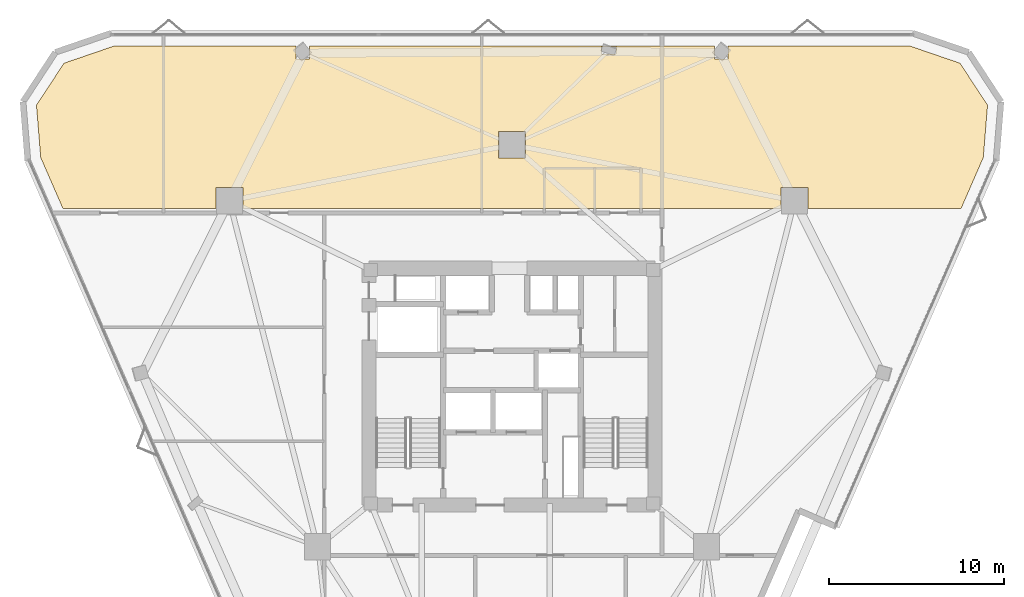
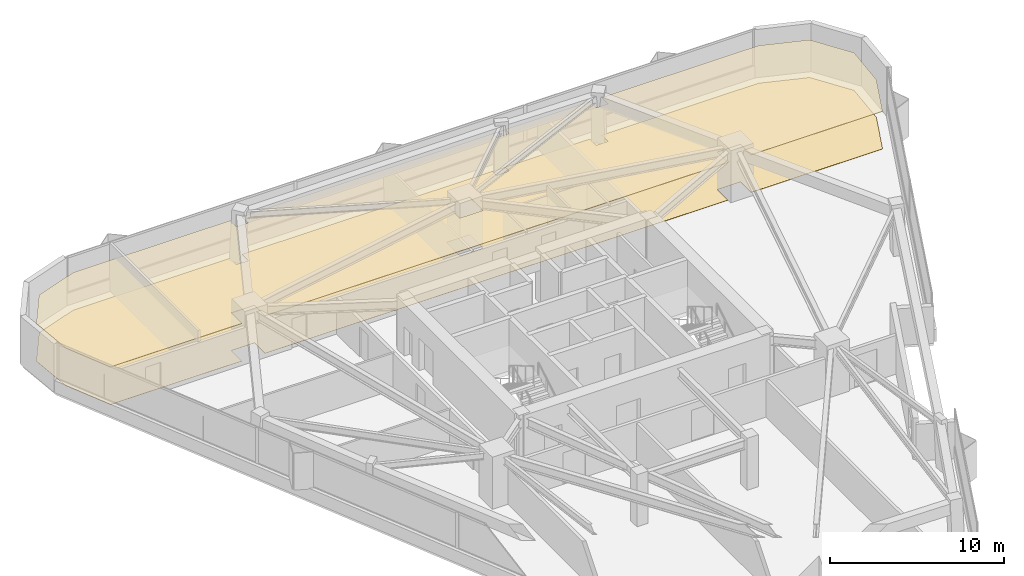
# One storey, part 11 of 12: 2 coverings.
"""IFC4 building model written with IfcOpenShell, lengths in metres."""

from ifc_helpers import new_model, si_unit, direction, frame, origin, place, context, subcontext, project, spatial, polyline, outline, extrude, material, layer, layer_set, type_object, element, save


model = new_model("IFC4")

# Units and contexts
model_context = context("Model", 3, precision=1e-05, world=origin(), true_north=direction((0.0, 1.0)))
body_context = subcontext(model_context, "Body", "Model", "MODEL_VIEW")
ifc_project = project(units=[si_unit("LENGTHUNIT", "METRE"), si_unit("AREAUNIT", "SQUARE_METRE"), si_unit("VOLUMEUNIT", "CUBIC_METRE"), si_unit("PLANEANGLEUNIT", "RADIAN"), si_unit("MASSUNIT", "GRAM", prefix="KILO")], contexts=[model_context])

# Site, building, storey
site_placement = place(None, origin())
site = spatial("IfcSite", under=ifc_project, at=site_placement, CompositionType="ELEMENT")
building_placement = place(site_placement, origin())
building = spatial("IfcBuilding", under=site, at=building_placement, Name="Talyreon Biosciences Tower", CompositionType="ELEMENT")
storey_placement = place(building_placement, frame((0.0, 0.0, 156.39990234375)))
storey = spatial("IfcBuildingStorey", under=building, at=storey_placement, Name="L41", CompositionType="ELEMENT", Elevation=156.39990234375)

# Coverings
ifc_material_1 = material(Name="Cleanable acoustic mineral-fibre ceiling tile", Category="gypsum")
ifc_layer_1 = layer(ifc_material_1, 0.0400390625)
ifc_layer_set_1 = layer_set([ifc_layer_1], Name="Cleanable acoustic mineral-fibre ceiling tile")
covering_type_1 = type_object("IfcCoveringType", Name="AcousticCleanroomCeiling_40", PredefinedType="CEILING", material=ifc_layer_set_1)
covering_1_placement = place(storey_placement, frame((0.0, 0.0, 2.614990234375)))
element("IfcCovering", 1, at=covering_1_placement, inside=storey, type_object=covering_type_1, Name="L41 Acoustic Laboratory Ceiling", PredefinedType="CEILING", context=body_context, shape_type="SweptSolid", body=[
    extrude(outline(polyline([(40.468994140625, 86.4326171875), (43.298095703125, 87.402587890625), (53.69091796875, 87.402587890625), (53.69091796875, 86.673583984375), (54.470947265625, 86.673583984375), (54.470947265625, 87.402587890625), (77.529052734375, 87.402587890625), (77.529052734375, 86.673583984375), (78.30908203125, 86.673583984375), (78.30908203125, 87.402587890625), (88.701904296875, 87.402587890625), (91.531005859375, 86.4326171875), (93.097412109375, 84.041259765625), (92.8564453125, 81.06005859375), (91.588134765625, 78.14990234375), (82.867431640625, 78.14990234375), (82.867431640625, 79.36376953125), (81.33740234375, 79.36376953125), (81.33740234375, 78.14990234375), (50.66259765625, 78.14990234375), (50.66259765625, 79.36376953125), (49.132568359375, 79.36376953125), (49.132568359375, 78.14990234375), (40.411865234375, 78.14990234375), (39.1435546875, 81.06005859375), (38.902587890625, 84.041259765625), (40.468994140625, 86.4326171875)]), holes=[polyline([(65.235107421875, 81.02392578125), (66.764892578125, 81.02392578125), (66.764892578125, 82.553955078125), (65.235107421875, 82.553955078125), (65.235107421875, 81.02392578125)]), polyline([(71.916015625, 87.378662109375), (71.086181640625, 87.378662109375), (71.086181640625, 86.94873046875), (71.916015625, 86.94873046875), (71.916015625, 87.378662109375)])]), origin(), (0.0, 0.0, 1.0), 0.0400390625),
])
ifc_material_2 = material(Name="Chemical-resistant seamless epoxy resin flooring", Category="plastic")
ifc_layer_2 = layer(ifc_material_2, 0.014892578125)
ifc_layer_set_2 = layer_set([ifc_layer_2], Name="Chemical-resistant seamless epoxy resin flooring")
covering_type_2 = type_object("IfcCoveringType", Name="SeamlessEpoxyLabFlooring_15", PredefinedType="FLOORING", material=ifc_layer_set_2)
covering_2_placement = place(storey_placement, origin())
element("IfcCovering", 2, at=covering_2_placement, inside=storey, type_object=covering_type_2, Name="L41 Laboratory Floor Finish", PredefinedType="FLOORING", context=body_context, shape_type="SweptSolid", body=[
    extrude(outline(polyline([(40.468994140625, 86.4326171875), (43.298095703125, 87.402587890625), (53.69091796875, 87.402587890625), (53.69091796875, 86.673583984375), (54.470947265625, 86.673583984375), (54.470947265625, 87.402587890625), (77.529052734375, 87.402587890625), (77.529052734375, 86.673583984375), (78.30908203125, 86.673583984375), (78.30908203125, 87.402587890625), (88.701904296875, 87.402587890625), (91.531005859375, 86.4326171875), (93.097412109375, 84.041259765625), (92.8564453125, 81.06005859375), (91.588134765625, 78.14990234375), (82.867431640625, 78.14990234375), (82.867431640625, 79.36376953125), (81.33740234375, 79.36376953125), (81.33740234375, 78.14990234375), (50.66259765625, 78.14990234375), (50.66259765625, 79.36376953125), (49.132568359375, 79.36376953125), (49.132568359375, 78.14990234375), (40.411865234375, 78.14990234375), (39.1435546875, 81.06005859375), (38.902587890625, 84.041259765625), (40.468994140625, 86.4326171875)]), holes=[polyline([(65.235107421875, 81.02392578125), (66.764892578125, 81.02392578125), (66.764892578125, 82.553955078125), (65.235107421875, 82.553955078125), (65.235107421875, 81.02392578125)]), polyline([(71.916015625, 87.378662109375), (71.086181640625, 87.378662109375), (71.086181640625, 86.94873046875), (71.916015625, 86.94873046875), (71.916015625, 87.378662109375)])]), origin(), (0.0, 0.0, 1.0), 0.01513671875),
])

save(model, "model.ifc")
